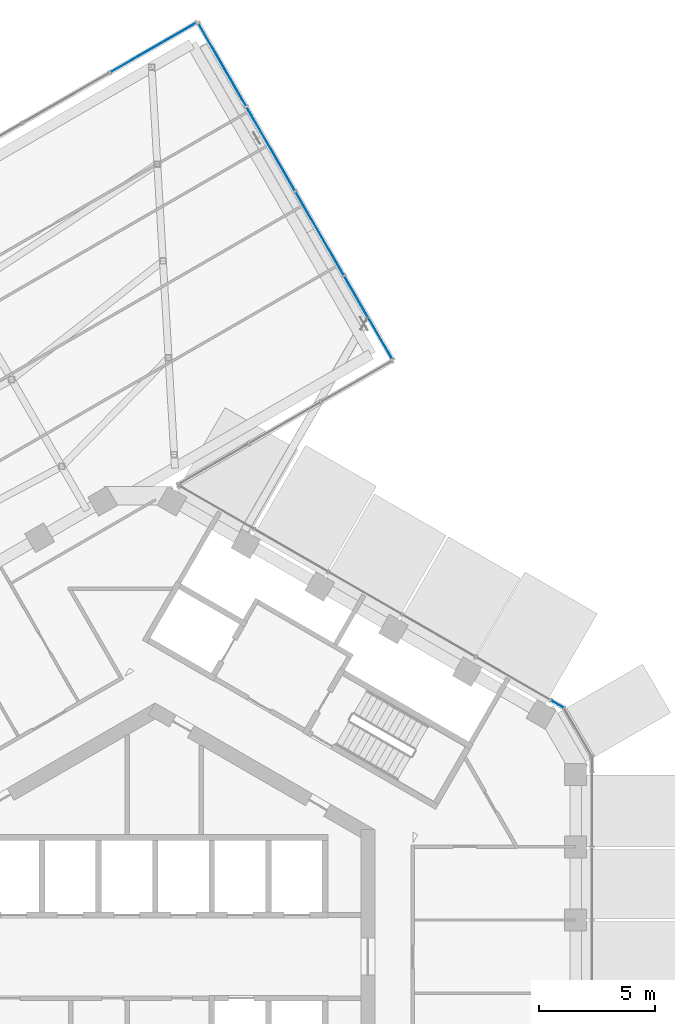
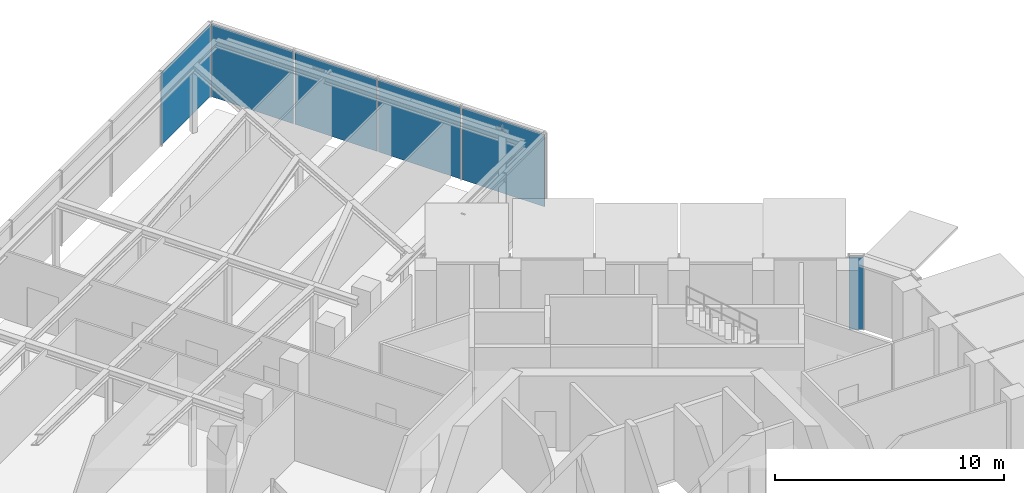
# One storey, part 18 of 27: 6 plates, 3 elements without a shape of their own.
"""IFC4 building model written with IfcOpenShell, lengths in metres."""

from ifc_helpers import new_model, si_unit, direction, frame, origin, origin_2d, place, context, subcontext, project, spatial, rectangle, extrude, material, layer, layer_set, type_object, element, aggregate, save


model = new_model("IFC4")

# Units and contexts
model_context = context("Model", 3, precision=1e-05, world=origin(), true_north=direction((0.0, 1.0)))
body_context = subcontext(model_context, "Body", "Model", "MODEL_VIEW")
ifc_project = project(units=[si_unit("LENGTHUNIT", "METRE"), si_unit("AREAUNIT", "SQUARE_METRE"), si_unit("VOLUMEUNIT", "CUBIC_METRE"), si_unit("PLANEANGLEUNIT", "RADIAN"), si_unit("MASSUNIT", "GRAM", prefix="KILO")], contexts=[model_context])

# Site, building, storey
site_placement = place(None, origin())
site = spatial("IfcSite", under=ifc_project, at=site_placement, CompositionType="ELEMENT")
building_placement = place(site_placement, origin())
building = spatial("IfcBuilding", under=site, at=building_placement, Name="Ayvan Gate Tower", CompositionType="ELEMENT")
storey_placement = place(building_placement, frame((0.0, 0.0, 194.699951171875)))
storey = spatial("IfcBuildingStorey", under=building, at=storey_placement, Name="L52", CompositionType="ELEMENT", Elevation=194.699951171875)

# Curtain wall, plates
ifc_material_1 = material(Name="Bronze anodised aluminium", Category="aluminium")
ifc_layer_1 = layer(ifc_material_1, 0.199951171875)
ifc_layer_set_1 = layer_set([ifc_layer_1], Name="Bronze anodised aluminium")
curtain_wall_type_1 = type_object("IfcCurtainWallType", Name="Stick curtain wall CW-4", PredefinedType="NOTDEFINED", material=ifc_layer_set_1)
curtain_wall_1_placement = place(storey_placement, origin())
curtain_wall_1 = element("IfcCurtainWall", 1, at=curtain_wall_1_placement, inside=storey, type_object=curtain_wall_type_1, Name="Stick curtain wall CW-4 L52", PredefinedType="NOTDEFINED")
ifc_material_2 = material(Name="Clear low-iron laminated glass", Category="glass")
ifc_layer_2 = layer(ifc_material_2, 0.028076171875)
ifc_layer_set_2 = layer_set([ifc_layer_2], Name="Clear low-iron laminated glass")
plate_type_1 = type_object("IfcPlateType", Name="Stick curtain wall CW-4 glass panel", PredefinedType="CURTAIN_PANEL", material=ifc_layer_set_2)
plate_1_placement = place(storey_placement, frame((7.117431640625, 31.2724609375, 0.0), z_axis=(0.0, 0.0, 1.0), x_axis=(-0.5, 0.866025403784, 0.0)))
plate_1 = element("IfcPlate", 2, at=plate_1_placement, type_object=plate_type_1, Name="CW-4 glass panel 2", PredefinedType="CURTAIN_PANEL", context=body_context, shape_type="SweptSolid", body=[
    extrude(rectangle(XDim=4.14501953125, YDim=0.028076171875, at=origin_2d()), origin(), (0.0, 0.0, 1.0), 3.860107421875),
])
plate_2_placement = place(storey_placement, frame((2.892333984375, 38.59033203125, 0.0), z_axis=(0.0, 0.0, 1.0), x_axis=(-0.5, 0.866025403784, 0.0)))
plate_2 = element("IfcPlate", 3, at=plate_2_placement, type_object=plate_type_1, Name="CW-4 glass panel 4", PredefinedType="CURTAIN_PANEL", context=body_context, shape_type="SweptSolid", body=[
    extrude(rectangle(XDim=4.14501953125, YDim=0.028076171875, at=origin_2d()), origin(), (0.0, 0.0, 1.0), 3.860107421875),
])

# Curtain wall, plate
curtain_wall_2_placement = place(storey_placement, origin())
curtain_wall_2 = element("IfcCurtainWall", 4, at=curtain_wall_2_placement, inside=storey, type_object=curtain_wall_type_1, Name="Stick curtain wall CW-4 L52", PredefinedType="NOTDEFINED")
plate_3_placement = place(storey_placement, frame((-0.0595703125, 39.325439453125, 0.0), z_axis=(0.0, 0.0, 1.0), x_axis=(-0.866025403784, -0.5, 0.0)))
plate_3 = element("IfcPlate", 5, at=plate_3_placement, type_object=plate_type_1, Name="CW-4 glass panel 1", PredefinedType="CURTAIN_PANEL", context=body_context, shape_type="SweptSolid", body=[
    extrude(rectangle(XDim=4.2978515625, YDim=0.028076171875, at=origin_2d()), origin(), (0.0, 0.0, 1.0), 3.860107421875),
])
aggregate(curtain_wall_2, [plate_3])

# Plate
ifc_material_3 = material(Name="Pale anodised aluminium composite panel", Category="aluminium")
ifc_layer_3 = layer(ifc_material_3, 0.028076171875)
ifc_layer_set_3 = layer_set([ifc_layer_3], Name="Pale anodised aluminium composite panel")
plate_type_2 = type_object("IfcPlateType", Name="Stick curtain wall CW-4 solid panel", PredefinedType="CURTAIN_PANEL", material=ifc_layer_set_3)
plate_4_placement = place(storey_placement, frame((9.229736328125, 27.613525390625, 0.0), z_axis=(0.0, 0.0, 1.0), x_axis=(-0.5, 0.866025403784, 0.0)))
plate_4 = element("IfcPlate", 6, at=plate_4_placement, type_object=plate_type_2, Name="CW-4 solid panel 1", PredefinedType="CURTAIN_PANEL", context=body_context, shape_type="SweptSolid", body=[
    extrude(rectangle(XDim=4.14501953125, YDim=0.028076171875, at=origin_2d()), origin(), (0.0, 0.0, 1.0), 3.860107421875),
])

plate_5_placement = place(storey_placement, frame((5.0048828125, 34.931396484375, 0.0), z_axis=(0.0, 0.0, 1.0), x_axis=(-0.5, 0.866025403784, 0.0)))
plate_5 = element("IfcPlate", 7, at=plate_5_placement, type_object=plate_type_2, Name="CW-4 solid panel 3", PredefinedType="CURTAIN_PANEL", context=body_context, shape_type="SweptSolid", body=[
    extrude(rectangle(XDim=4.14501953125, YDim=0.028076171875, at=origin_2d()), origin(), (0.0, 0.0, 1.0), 3.860107421875),
])

aggregate(curtain_wall_1, [plate_4, plate_1, plate_5, plate_2])

# Curtain wall, plate
ifc_layer_4 = layer(ifc_material_1, 0.199951171875)
ifc_layer_set_4 = layer_set([ifc_layer_4], Name="Bronze anodised aluminium")
curtain_wall_type_2 = type_object("IfcCurtainWallType", Name="Stick curtain wall CW-6", PredefinedType="NOTDEFINED", material=ifc_layer_set_4)
curtain_wall_3_placement = place(storey_placement, origin())
curtain_wall_3 = element("IfcCurtainWall", 8, at=curtain_wall_3_placement, inside=storey, type_object=curtain_wall_type_2, Name="Stick curtain wall CW-6 L52", PredefinedType="NOTDEFINED")
ifc_layer_5 = layer(ifc_material_2, 0.028076171875)
ifc_layer_set_5 = layer_set([ifc_layer_5], Name="Clear low-iron laminated glass")
plate_type_3 = type_object("IfcPlateType", Name="Stick curtain wall CW-6 glass panel", PredefinedType="CURTAIN_PANEL", material=ifc_layer_set_5)
plate_6_placement = place(storey_placement, frame((17.386962890625, 10.92333984375, 0.0), z_axis=(0.0, 0.0, 1.0), x_axis=(-0.866025403784, 0.5, 0.0)))
plate_6 = element("IfcPlate", 9, at=plate_6_placement, type_object=plate_type_3, Name="CW-6 glass panel 3", PredefinedType="CURTAIN_PANEL", context=body_context, shape_type="SweptSolid", body=[
    extrude(rectangle(XDim=0.625, YDim=0.028076171875, at=origin_2d()), origin(), (0.0, 0.0, 1.0), 3.8798828125),
])
aggregate(curtain_wall_3, [plate_6])

save(model, "model.ifc")
